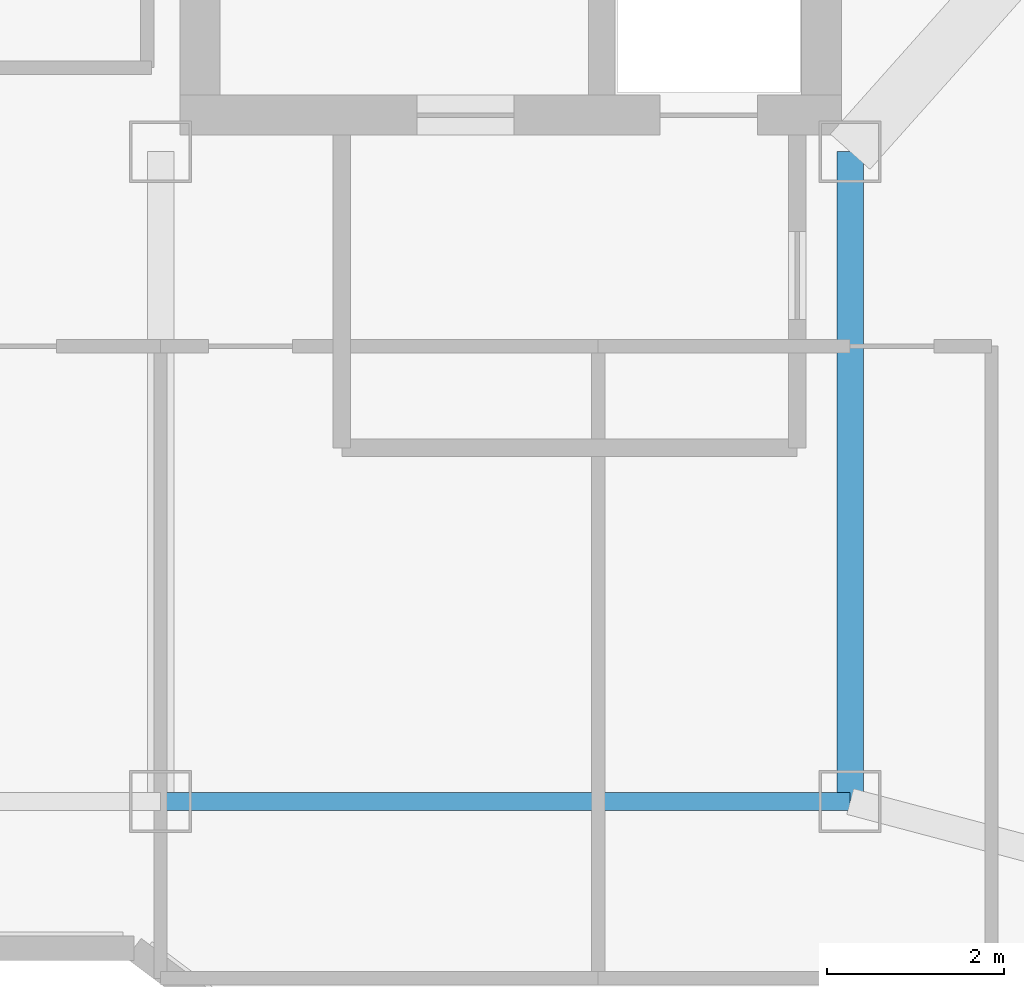
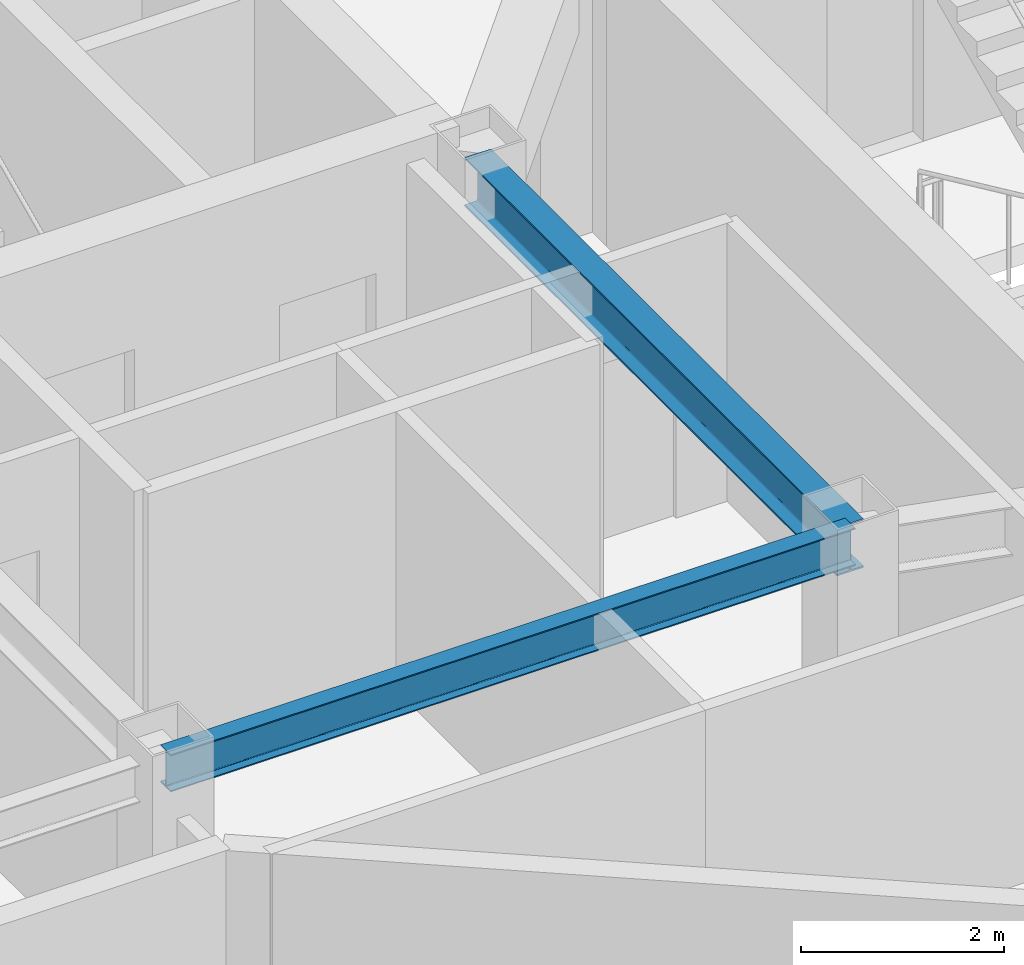
# One storey, part 5 of 26: 2 beams.
"""IFC4 building model written with IfcOpenShell, lengths in metres."""

from ifc_helpers import new_model, si_unit, direction, frame, origin, origin_2d, place, context, subcontext, project, spatial, i_section, extrude, material, material_profile, profile_set, type_object, element, save


model = new_model("IFC4")

# Units and contexts
model_context = context("Model", 3, precision=1e-05, world=origin(), true_north=direction((0.0, 1.0)))
body_context = subcontext(model_context, "Body", "Model", "MODEL_VIEW")
ifc_project = project(units=[si_unit("LENGTHUNIT", "METRE"), si_unit("AREAUNIT", "SQUARE_METRE"), si_unit("VOLUMEUNIT", "CUBIC_METRE"), si_unit("PLANEANGLEUNIT", "RADIAN"), si_unit("MASSUNIT", "GRAM", prefix="KILO")], contexts=[model_context])

# Site, building, storey
site_placement = place(None, origin())
site = spatial("IfcSite", under=ifc_project, at=site_placement, CompositionType="ELEMENT")
building_placement = place(site_placement, origin())
building = spatial("IfcBuilding", under=site, at=building_placement, Name="Hatsunagi Terrace Concourse", CompositionType="ELEMENT")
storey_placement = place(building_placement, frame((0.0, 0.0, 227.550048828125)))
storey = spatial("IfcBuildingStorey", under=building, at=storey_placement, Name="L60", CompositionType="ELEMENT", Elevation=227.550048828125)

# Beams
ifc_material_1 = material(Name="Steel SN490B", Category="steel")
ifc_material_profile_1 = material_profile(ifc_material_1, i_section(OverallWidth=0.300048828125, OverallDepth=0.587890625, WebThickness=0.011962890625, FlangeThickness=0.02001953125, FilletRadius=0.01806640625, at=origin_2d()), Name="H-588x300x12x20")
ifc_profile_set_1 = profile_set([ifc_material_profile_1], Name="Steel SN490B")
beam_type_1 = type_object("IfcBeamType", Name="OfficeHighGirder_H_588x300", PredefinedType="BEAM", material=ifc_profile_set_1)
beam_1_placement = place(storey_placement, frame((33.35009765625, 25.199951171875, 3.055908203125), z_axis=(0.0, 1.0, 0.0), x_axis=(-1.0, 0.0, 0.0)))
element("IfcBeam", 1, at=beam_1_placement, inside=storey, type_object=beam_type_1, Name="Beam G-06 BM-L60-K2CA", PredefinedType="BEAM", context=body_context, shape_type="SweptSolid", body=[
    extrude(i_section(OverallWidth=0.300048828125, OverallDepth=0.587890625, WebThickness=0.011962890625, FlangeThickness=0.02001953125, FilletRadius=0.01806640625, at=origin_2d()), origin(), (0.0, 0.0, 1.0), 7.35009765625),
])
ifc_material_2 = material(Name="Steel SN490B", Category="steel")
ifc_material_profile_2 = material_profile(ifc_material_2, i_section(OverallWidth=0.199951171875, OverallDepth=0.449951171875, WebThickness=0.009033203125, FlangeThickness=0.013916015625, FilletRadius=0.01611328125, at=origin_2d()), Name="H-450x200x9x14")
ifc_profile_set_2 = profile_set([ifc_material_profile_2], Name="Steel SN490B")
beam_type_2 = type_object("IfcBeamType", Name="PerimeterSpandrel_H_450x200", PredefinedType="SPANDREL", material=ifc_profile_set_2)
beam_2_placement = place(storey_placement, frame((25.550048828125, 25.199951171875, 3.125), z_axis=(1.0, 0.0, 0.0), x_axis=(0.0, 1.0, 0.0)))
element("IfcBeam", 2, at=beam_2_placement, inside=storey, type_object=beam_type_2, Name="Beam SP-02 BM-L60-WS-25", PredefinedType="SPANDREL", context=body_context, shape_type="SweptSolid", body=[
    extrude(i_section(OverallWidth=0.199951171875, OverallDepth=0.449951171875, WebThickness=0.009033203125, FlangeThickness=0.013916015625, FilletRadius=0.01611328125, at=origin_2d()), origin(), (0.0, 0.0, 1.0), 7.800048828125),
])

save(model, "model.ifc")
